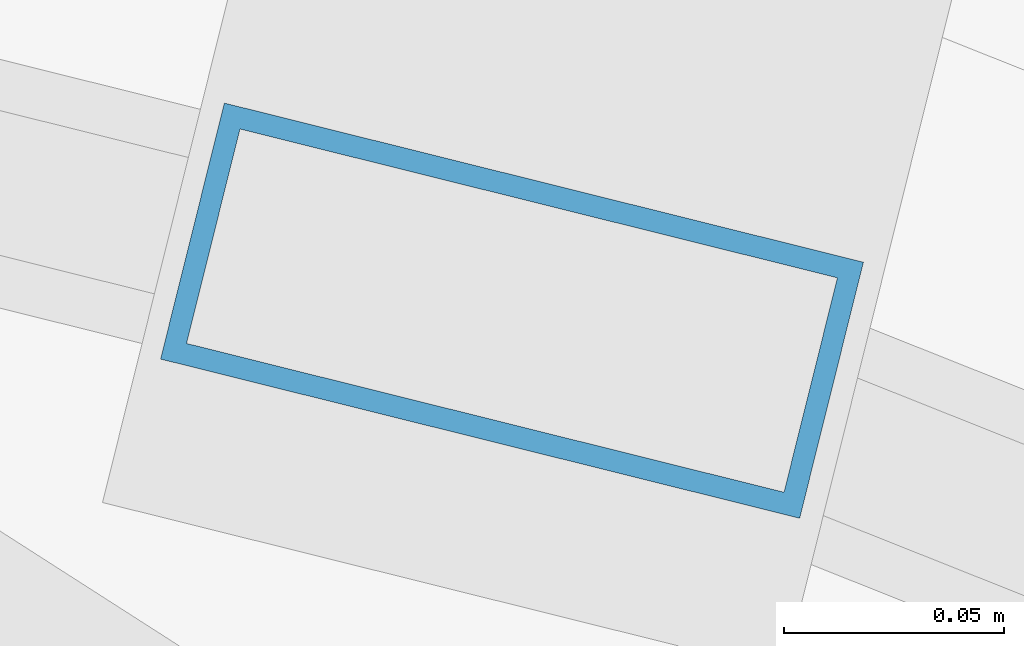
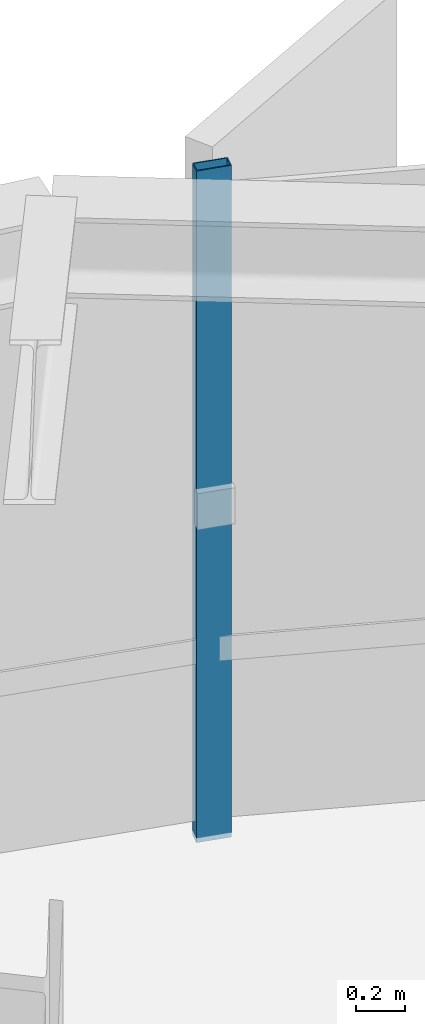
# One storey, part 23 of 35: 1 member, 1 element without a shape of its own.
"""IFC4 building model written with IfcOpenShell, lengths in metres."""

from ifc_helpers import new_model, si_unit, direction, frame, origin, origin_2d, place, context, subcontext, project, spatial, hollow_rectangle, extrude, source, transform, mapped, material, layer, layer_set, material_profile, profile_set, type_object, element, aggregate, save


model = new_model("IFC4")

# Units and contexts
model_context = context("Model", 3, precision=1e-05, world=origin(), true_north=direction((0.0, 1.0)))
body_context = subcontext(model_context, "Body", "Model", "MODEL_VIEW")
ifc_project = project(units=[si_unit("LENGTHUNIT", "METRE"), si_unit("AREAUNIT", "SQUARE_METRE"), si_unit("VOLUMEUNIT", "CUBIC_METRE"), si_unit("PLANEANGLEUNIT", "RADIAN"), si_unit("MASSUNIT", "GRAM", prefix="KILO"), si_unit("THERMODYNAMICTEMPERATUREUNIT", "KELVIN")], contexts=[model_context])

# Site, building, storey
site_placement = place(None, origin())
site = spatial("IfcSite", under=ifc_project, at=site_placement, CompositionType="ELEMENT")
building_placement = place(site_placement, origin())
building = spatial("IfcBuilding", under=site, at=building_placement, Name="Kethvar Cultural Tower", CompositionType="ELEMENT")
storey_placement = place(building_placement, frame((0.0, 0.0, 85.60009765625)))
storey = spatial("IfcBuildingStorey", under=building, at=storey_placement, Name="L20", CompositionType="ELEMENT", Elevation=85.60009765625)

# Curtain wall, member
ifc_material = material(Name="Aluminium 6063-T6", Category="aluminium")
ifc_layer = layer(ifc_material, 0.179931640625, Name="Aluminium 6063-T6", Category="aluminium")
ifc_layer_set = layer_set([ifc_layer], Name="Aluminium 6063-T6 (180 mm)")
curtain_wall_type = type_object("IfcCurtainWallType", Name="CW-SYS-03-Z2", PredefinedType="NOTDEFINED", material=ifc_layer_set)
curtain_wall_placement = place(storey_placement, origin())
curtain_wall = element("IfcCurtainWall", 1, at=curtain_wall_placement, inside=storey, type_object=curtain_wall_type, Name="L20 Curtain Wall Run 01", PredefinedType="NOTDEFINED")
ifc_material_profile = material_profile(ifc_material, hollow_rectangle(XDim=0.06005859375, YDim=0.14990234375, WallThickness=0.0048828125, at=origin_2d()), Name="Aluminium 6063-T6 — RHS150x60x5")
ifc_profile_set = profile_set([ifc_material_profile], Name="Aluminium 6063-T6 — RHS150x60x5")
member_type = type_object("IfcMemberType", Name="CW-SYS-03-Z2-MUL", PredefinedType="MULLION", material=ifc_profile_set)
shared_shape = source(origin(), body_context, "Body", "SweptSolid", [
    extrude(hollow_rectangle(XDim=0.06005859375, YDim=0.14990234375, WallThickness=0.0048828125, at=origin_2d()), origin(), (0.0, 0.0, 1.0), 3.349853515625),
])
member_placement = place(storey_placement, frame((62.491455078125, 50.134765625, 0.0), z_axis=(0.0, 0.0, 1.0), x_axis=(-0.241650928488, -0.97036324578, 0.0)))
member = element("IfcMember", 2, at=member_placement, type_object=member_type, Name="CW-L20-R01 Mullion 6", PredefinedType="MULLION", context=body_context, shape_type="MappedRepresentation", body=[
    mapped(shared_shape, transform((0.0, 0.0, 0.0), scale=1.0)),
])
aggregate(curtain_wall, [member])

save(model, "model.ifc")
